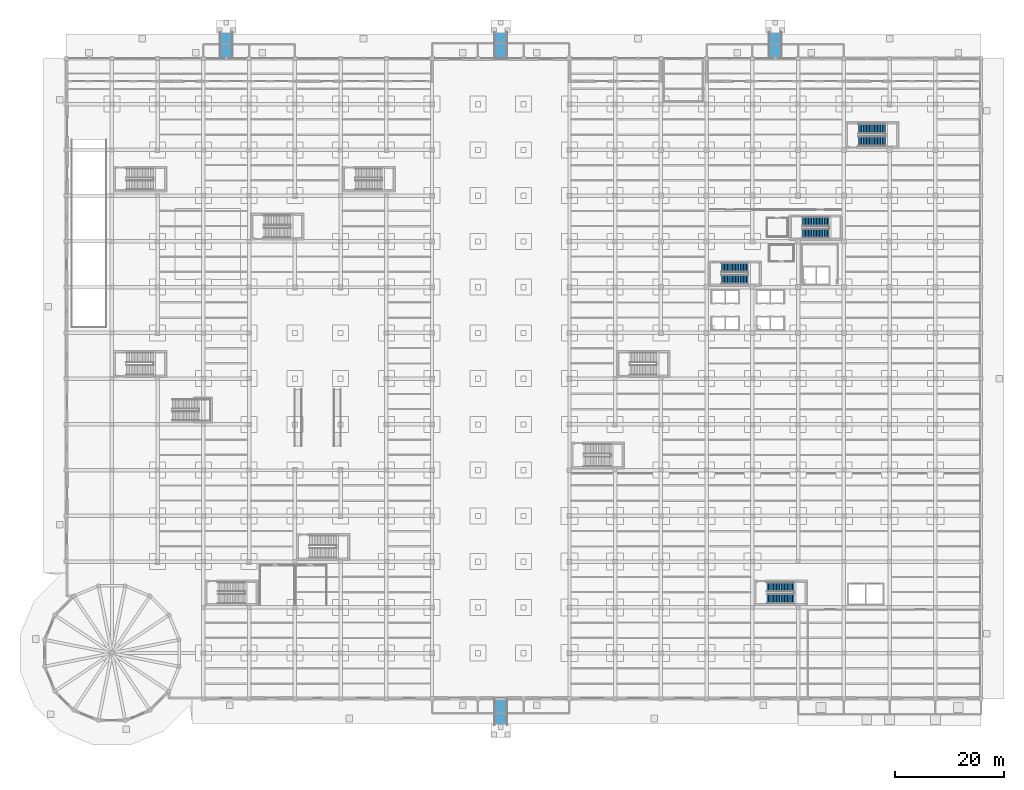
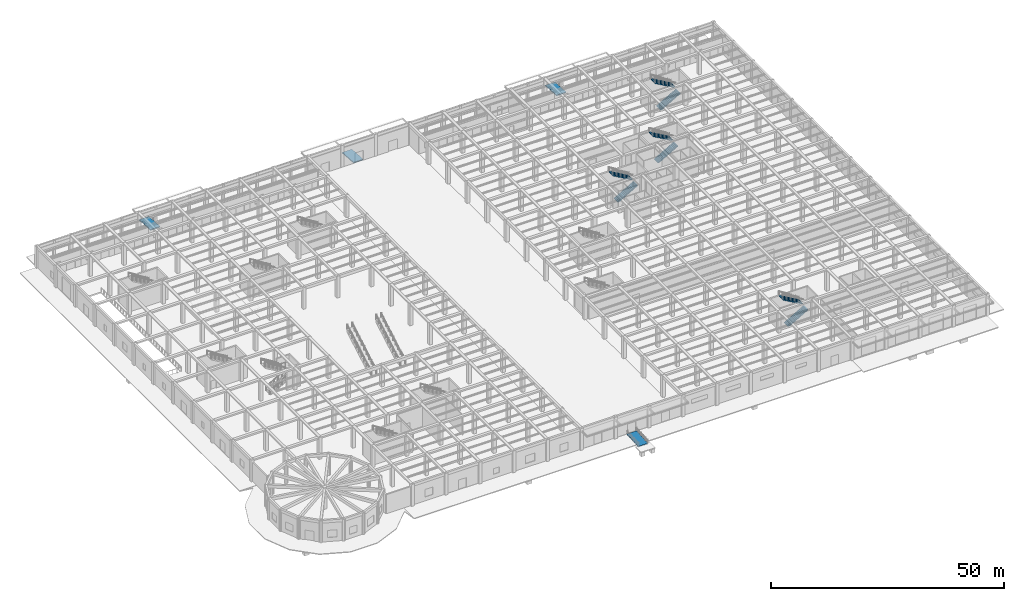
# One storey, part 33 of 43: 8 stair flights, 4 ramp flights, 8 elements without a shape of their own.
"""IFC4 building model written with IfcOpenShell, lengths in metres."""

import ifcopenshell
import ifcopenshell.guid

model = None  # the IFC model being written
_history = None  # IfcOwnerHistory: only IFC2X3 demands one
_inside = {}  # id of a spatial element -> (the spatial element, [elements in it])
_under = {}  # id of a project, library or spatial element -> (it, [spatial elements below it])
_declared = {}  # id of a project -> (the project, [libraries it declares])
_typed = {}  # id of a type object -> (the type object, [elements of that type])
_made_of = {}  # id of a material, layer set ... -> (it, [elements and type objects made of it])


def new_model(schema):
    """Start an empty IFC model of exactly this schema.

    Asked for "IFC4X3", IfcOpenShell would pick the latest addendum, in which some entities
    have other attributes; the version numbers below select the first issue.
    IFC2X3 requires an IfcOwnerHistory on every rooted entity: one is made here for all.
    """
    global model, _history
    if schema == "IFC4X3":
        model = ifcopenshell.file(schema_version=(4, 3, 0, 0))
    else:
        model = ifcopenshell.file(schema=schema)
    _inside.clear()
    _under.clear()
    _declared.clear()
    _typed.clear()
    _made_of.clear()
    _history = None
    if model.schema == "IFC2X3":
        org = make("IfcOrganization", Name="unknown")
        user = make(
            "IfcPersonAndOrganization",
            ThePerson=make("IfcPerson", FamilyName="unknown"),
            TheOrganization=org,
        )
        app = make(
            "IfcApplication",
            ApplicationDeveloper=org,
            Version="unknown",
            ApplicationFullName="unknown",
            ApplicationIdentifier="unknown",
        )
        _history = make(
            "IfcOwnerHistory",
            OwningUser=user,
            OwningApplication=app,
            ChangeAction="ADDED",
            CreationDate=0,
        )
    return model


def make(cls, **values):
    """One entity of the class cls with the attributes given. An attribute that is None is left unset."""
    return model.create_entity(
        cls, **{name: value for name, value in values.items() if value is not None}
    )


def rooted(cls, **values):
    """An entity with a GlobalId (a new one), such as an element, a storey or a relation."""
    return make(cls, GlobalId=ifcopenshell.guid.new(), OwnerHistory=_history, **values)


def si_unit(unit_type, name, prefix=None):
    """IfcSIUnit, for example si_unit("LENGTHUNIT", "METRE", prefix="MILLI")."""
    return make("IfcSIUnit", UnitType=unit_type, Prefix=prefix, Name=name)


def assignment(units):
    """IfcUnitAssignment: the units of a project."""
    return None if units is None else make("IfcUnitAssignment", Units=units)


def point(xyz):
    """IfcCartesianPoint."""
    return None if xyz is None else make("IfcCartesianPoint", Coordinates=xyz)


def direction(xyz):
    """IfcDirection."""
    return None if xyz is None else make("IfcDirection", DirectionRatios=xyz)


def frame(location, z_axis=None, x_axis=None):
    """IfcAxis2Placement3D, a coordinate frame: its origin and axes. An axis left out is left unset."""
    return make(
        "IfcAxis2Placement3D",
        Location=point(location),
        Axis=direction(z_axis),
        RefDirection=direction(x_axis),
    )


def origin():
    """The frame at (0, 0, 0) with its axes left unset."""
    return frame((0.0, 0.0, 0.0))


def place(relative_to, where):
    """IfcLocalPlacement: puts the frame where relative to a parent placement (None: the world)."""
    return make(
        "IfcLocalPlacement", PlacementRelTo=relative_to, RelativePlacement=where
    )


def context(
    kind, dimensions, precision=None, world=None, true_north=None, identifier=None
):
    """IfcGeometricRepresentationContext, for example the 3D "Model" context."""
    return make(
        "IfcGeometricRepresentationContext",
        ContextIdentifier=identifier,
        ContextType=kind,
        CoordinateSpaceDimension=dimensions,
        Precision=precision,
        WorldCoordinateSystem=world,
        TrueNorth=true_north,
    )


def subcontext(parent, identifier, kind, view, scale=None):
    """IfcGeometricRepresentationSubContext, for example "Body" below "Model"."""
    return make(
        "IfcGeometricRepresentationSubContext",
        ContextIdentifier=identifier,
        ContextType=kind,
        ParentContext=parent,
        TargetScale=scale,
        TargetView=view,
    )


def project(units=None, contexts=None):
    """IfcProject with its units and contexts."""
    return rooted(
        "IfcProject",
        Name="project",
        RepresentationContexts=contexts,
        UnitsInContext=assignment(units),
    )


def spatial(cls, under=None, at=None, **own):
    """A site, building, storey or space (cls), placed at a placement, below another one or the project."""
    s = rooted(cls, ObjectPlacement=at, **own)
    if under is not None:
        _under.setdefault(under.id(), (under, []))[1].append(s)
    return s


def polyline(points):
    """IfcPolyline through the points."""
    return make("IfcPolyline", Points=[point(p) for p in points])


def outline(outer, holes=None, kind="AREA"):
    """IfcArbitraryClosedProfileDef: a profile drawn as a closed curve; with holes, ...WithVoids."""
    if holes is None:
        return make("IfcArbitraryClosedProfileDef", ProfileType=kind, OuterCurve=outer)
    return make(
        "IfcArbitraryProfileDefWithVoids",
        ProfileType=kind,
        OuterCurve=outer,
        InnerCurves=holes,
    )


def extrude(swept, where, along, depth):
    """IfcExtrudedAreaSolid: the profile swept, set in the frame where, extruded along a direction by depth."""
    return make(
        "IfcExtrudedAreaSolid",
        SweptArea=swept,
        Position=where,
        ExtrudedDirection=direction(along),
        Depth=depth,
    )


def shape(context_of_items, identifier, shape_type, items):
    """IfcShapeRepresentation: the items that make up one representation, for example the "Body"."""
    return make(
        "IfcShapeRepresentation",
        ContextOfItems=context_of_items,
        RepresentationIdentifier=identifier,
        RepresentationType=shape_type,
        Items=items,
    )


def material(Name=None, Category=None):
    """IfcMaterial."""
    return make("IfcMaterial", Name=Name, Category=Category)


def layer(
    of_material, thickness, ventilated=None, Name=None, Category=None, Priority=None
):
    """IfcMaterialLayer: one layer of a wall or slab, of a material (None: an air gap)."""
    return make(
        "IfcMaterialLayer",
        Material=of_material,
        LayerThickness=thickness,
        IsVentilated=ventilated,
        Name=Name,
        Category=Category,
        Priority=Priority,
    )


def layer_set(layers, Name=None):
    """IfcMaterialLayerSet."""
    return make("IfcMaterialLayerSet", MaterialLayers=layers, LayerSetName=Name)


def made_of(thing, what):
    """Note that an element or type object is made of a material, layer set ...; save() writes the relation."""
    if what is not None:
        _made_of.setdefault(what.id(), (what, []))[1].append(thing)
    return thing


def type_object(cls, material=None, **own):
    """A type object (cls), such as IfcWallType, which elements share."""
    return made_of(rooted(cls, **own), material)


def element(
    cls,
    number,
    at=None,
    inside=None,
    cuts=None,
    type_object=None,
    material=None,
    context=None,
    identifier="Body",
    shape_type=None,
    held_by="IfcProductDefinitionShape",
    body=None,
    shapes=None,
    **own,
):
    """One element of the class cls, such as IfcWall. Its Tag is "e" and its number.

    at: its placement. inside: the storey or other place that contains it. cuts: it is an
    opening in that element (IfcRelVoidsElement). A single representation is given by context,
    identifier, shape_type and body (its items); several are given by shapes. held_by: the class
    of the entity that holds the representations. save() writes the other relations.
    """
    e = rooted(cls, Tag="e%d" % number, ObjectPlacement=at, **own)
    if body is not None:
        shapes = [shape(context, identifier, shape_type, body)]
    if shapes is not None:
        e.Representation = make(held_by, Representations=shapes)
    if inside is not None:
        _inside.setdefault(inside.id(), (inside, []))[1].append(e)
    if cuts is not None:
        rooted(
            "IfcRelVoidsElement", RelatingBuildingElement=cuts, RelatedOpeningElement=e
        )
    if type_object is not None:
        _typed.setdefault(type_object.id(), (type_object, []))[1].append(e)
    return made_of(e, material)


def aggregate(whole, parts):
    """IfcRelAggregates: a whole, such as a stair, and the parts it consists of."""
    return rooted("IfcRelAggregates", RelatingObject=whole, RelatedObjects=parts)


def save(model, path):
    """Write the relations noted so far, then the file.

    IfcRelAggregates (storeys below a building ...), IfcRelContainedInSpatialStructure (elements
    in a storey), IfcRelDefinesByType, IfcRelAssociatesMaterial and IfcRelDeclares: one each for
    every whole, place, type object, material and project.
    """
    for whole, parts in _under.values():
        aggregate(whole, parts)
    for where, things in _inside.values():
        rooted(
            "IfcRelContainedInSpatialStructure",
            RelatedElements=things,
            RelatingStructure=where,
        )
    for kind, things in _typed.values():
        rooted("IfcRelDefinesByType", RelatedObjects=things, RelatingType=kind)
    for what, things in _made_of.values():
        rooted("IfcRelAssociatesMaterial", RelatedObjects=things, RelatingMaterial=what)
    for by, libraries in _declared.values():
        rooted("IfcRelDeclares", RelatingContext=by, RelatedDefinitions=libraries)
    model.write(path)


model = new_model("IFC4")

# Units and contexts
model_context = context("Model", 3, precision=1e-05, world=origin(), true_north=direction((0.0, 1.0)))
body_context = subcontext(model_context, "Body", "Model", "MODEL_VIEW")
ifc_project = project(units=[si_unit("LENGTHUNIT", "METRE"), si_unit("AREAUNIT", "SQUARE_METRE"), si_unit("VOLUMEUNIT", "CUBIC_METRE"), si_unit("PLANEANGLEUNIT", "RADIAN"), si_unit("MASSUNIT", "GRAM", prefix="KILO")], contexts=[model_context])

# Site, building, storey
site_placement = place(None, origin())
site = spatial("IfcSite", under=ifc_project, at=site_placement, CompositionType="ELEMENT")
building_placement = place(site_placement, origin())
building = spatial("IfcBuilding", under=site, at=building_placement, Name="Almacenes y Pasaje Nevantli", CompositionType="ELEMENT")
storey_placement = place(building_placement, origin())
storey = spatial("IfcBuildingStorey", under=building, at=storey_placement, Name="L01", CompositionType="ELEMENT", Elevation=0.0)

# Stair, stair flights
ifc_material_1 = material(Name="Concrete C35/45", Category="concrete")
stair_type_1 = type_object("IfcStairType", Name="STR-CORE-1720", PredefinedType="HALF_TURN_STAIR", material=ifc_material_1)
stair_1_placement = place(storey_placement, origin())
stair_1 = element("IfcStair", 1, at=stair_1_placement, inside=storey, type_object=stair_type_1, Name="L01 Staircase ST-01", PredefinedType="HALF_TURN_STAIR")
ifc_material_2 = material(Name="Concrete C35/45", Category="concrete")
ifc_layer_1 = layer(ifc_material_2, 0.199951171875)
ifc_layer_set_1 = layer_set([ifc_layer_1], Name="Concrete C35/45")
stair_flight_type = type_object("IfcStairFlightType", Name="SFL-RC-200", PredefinedType="STRAIGHT", material=ifc_layer_set_1)
stair_flight_1_placement = place(storey_placement, frame((120.300048828125, 77.010009765625, 0.0), z_axis=(0.0, 0.0, 1.0), x_axis=(1.0, 0.0, 0.0)))
stair_flight_1 = element("IfcStairFlight", 2, at=stair_flight_1_placement, type_object=stair_flight_type, Name="ST-01-L01 flight 1", NumberOfRisers=18, NumberOfTreads=17, PredefinedType="STRAIGHT", RiserHeight=0.166667, TreadLength=0.29, context=body_context, shape_type="SweptSolid", body=[
    extrude(outline(polyline([(0.0, 0.0), (0.0, 0.166748046875), (0.2900390625, 0.166748046875), (0.2900390625, 0.333251953125), (0.580078125, 0.333251953125), (0.580078125, 0.5), (0.8701171875, 0.5), (0.8701171875, 0.666748046875), (1.159912109375, 0.666748046875), (1.159912109375, 0.833251953125), (1.449951171875, 0.833251953125), (1.449951171875, 1.0), (1.739990234375, 1.0), (1.739990234375, 1.166748046875), (2.030029296875, 1.166748046875), (2.030029296875, 1.333251953125), (2.320068359375, 1.333251953125), (2.320068359375, 1.5), (2.610107421875, 1.5), (2.610107421875, 1.666748046875), (2.89990234375, 1.666748046875), (2.89990234375, 1.833251953125), (3.18994140625, 1.833251953125), (3.18994140625, 2.0), (3.47998046875, 2.0), (3.47998046875, 2.166748046875), (3.77001953125, 2.166748046875), (3.77001953125, 2.333251953125), (4.06005859375, 2.333251953125), (4.06005859375, 2.5), (4.35009765625, 2.5), (4.35009765625, 2.666748046875), (4.639892578125, 2.666748046875), (4.639892578125, 2.833251953125), (4.929931640625, 2.833251953125), (4.929931640625, 3.0), (4.929931640625, 2.602783203125), (0.4013671875, 0.0), (0.0, 0.0)])), frame((0.0, 0.85986328125, 0.0), z_axis=(0.0, -1.0, 0.0), x_axis=(1.0, 0.0, 0.0)), (0.0, 0.0, 1.0), 1.719970703125),
])
stair_flight_2_placement = place(storey_placement, frame((125.22998046875, 79.179931640625, 3.0), z_axis=(0.0, 0.0, 1.0), x_axis=(-1.0, 0.0, 0.0)))
stair_flight_2 = element("IfcStairFlight", 3, at=stair_flight_2_placement, type_object=stair_flight_type, Name="ST-01-L01 flight 2", NumberOfRisers=18, NumberOfTreads=17, PredefinedType="STRAIGHT", RiserHeight=0.166667, TreadLength=0.29, context=body_context, shape_type="SweptSolid", body=[
    extrude(outline(polyline([(0.0, 0.0), (0.0, 0.166748046875), (0.2900390625, 0.166748046875), (0.2900390625, 0.333251953125), (0.580078125, 0.333251953125), (0.580078125, 0.5), (0.8701171875, 0.5), (0.8701171875, 0.666748046875), (1.159912109375, 0.666748046875), (1.159912109375, 0.833251953125), (1.449951171875, 0.833251953125), (1.449951171875, 1.0), (1.739990234375, 1.0), (1.739990234375, 1.166748046875), (2.030029296875, 1.166748046875), (2.030029296875, 1.333251953125), (2.320068359375, 1.333251953125), (2.320068359375, 1.5), (2.610107421875, 1.5), (2.610107421875, 1.666748046875), (2.89990234375, 1.666748046875), (2.89990234375, 1.833251953125), (3.18994140625, 1.833251953125), (3.18994140625, 2.0), (3.47998046875, 2.0), (3.47998046875, 2.166748046875), (3.77001953125, 2.166748046875), (3.77001953125, 2.333251953125), (4.06005859375, 2.333251953125), (4.06005859375, 2.5), (4.35009765625, 2.5), (4.35009765625, 2.666748046875), (4.639892578125, 2.666748046875), (4.639892578125, 2.833251953125), (4.929931640625, 2.833251953125), (4.929931640625, 3.0), (4.929931640625, 2.602783203125), (0.4013671875, 0.0), (0.0, 0.0)])), frame((0.0, 0.85986328125, 0.0), z_axis=(0.0, -1.0, 0.0), x_axis=(1.0, 0.0, 0.0)), (0.0, 0.0, 1.0), 1.719970703125),
])
aggregate(stair_1, [stair_flight_1, stair_flight_2])

stair_2_placement = place(storey_placement, origin())
stair_2 = element("IfcStair", 4, at=stair_2_placement, inside=storey, type_object=stair_type_1, Name="L01 Staircase ST-02", PredefinedType="HALF_TURN_STAIR")
stair_flight_3_placement = place(storey_placement, frame((135.14990234375, 85.4599609375, 0.0), z_axis=(0.0, 0.0, 1.0), x_axis=(1.0, 0.0, 0.0)))
stair_flight_3 = element("IfcStairFlight", 5, at=stair_flight_3_placement, type_object=stair_flight_type, Name="ST-02-L01 flight 1", NumberOfRisers=18, NumberOfTreads=17, PredefinedType="STRAIGHT", RiserHeight=0.166667, TreadLength=0.29, context=body_context, shape_type="SweptSolid", body=[
    extrude(outline(polyline([(0.0, 0.0), (0.0, 0.166748046875), (0.2900390625, 0.166748046875), (0.2900390625, 0.333251953125), (0.580078125, 0.333251953125), (0.580078125, 0.5), (0.8701171875, 0.5), (0.8701171875, 0.666748046875), (1.159912109375, 0.666748046875), (1.159912109375, 0.833251953125), (1.449951171875, 0.833251953125), (1.449951171875, 1.0), (1.739990234375, 1.0), (1.739990234375, 1.166748046875), (2.030029296875, 1.166748046875), (2.030029296875, 1.333251953125), (2.320068359375, 1.333251953125), (2.320068359375, 1.5), (2.610107421875, 1.5), (2.610107421875, 1.666748046875), (2.89990234375, 1.666748046875), (2.89990234375, 1.833251953125), (3.18994140625, 1.833251953125), (3.18994140625, 2.0), (3.47998046875, 2.0), (3.47998046875, 2.166748046875), (3.77001953125, 2.166748046875), (3.77001953125, 2.333251953125), (4.06005859375, 2.333251953125), (4.06005859375, 2.5), (4.35009765625, 2.5), (4.35009765625, 2.666748046875), (4.639892578125, 2.666748046875), (4.639892578125, 2.833251953125), (4.929931640625, 2.833251953125), (4.929931640625, 3.0), (4.929931640625, 2.602783203125), (0.4013671875, 0.0), (0.0, 0.0)])), frame((0.0, 0.85986328125, 0.0), z_axis=(0.0, -1.0, 0.0), x_axis=(1.0, 0.0, 0.0)), (0.0, 0.0, 1.0), 1.719970703125),
])
stair_flight_4_placement = place(storey_placement, frame((140.080078125, 87.6298828125, 3.0), z_axis=(0.0, 0.0, 1.0), x_axis=(-1.0, 0.0, 0.0)))
stair_flight_4 = element("IfcStairFlight", 6, at=stair_flight_4_placement, type_object=stair_flight_type, Name="ST-02-L01 flight 2", NumberOfRisers=18, NumberOfTreads=17, PredefinedType="STRAIGHT", RiserHeight=0.166667, TreadLength=0.29, context=body_context, shape_type="SweptSolid", body=[
    extrude(outline(polyline([(0.0, 0.0), (0.0, 0.166748046875), (0.2900390625, 0.166748046875), (0.2900390625, 0.333251953125), (0.580078125, 0.333251953125), (0.580078125, 0.5), (0.8701171875, 0.5), (0.8701171875, 0.666748046875), (1.159912109375, 0.666748046875), (1.159912109375, 0.833251953125), (1.449951171875, 0.833251953125), (1.449951171875, 1.0), (1.739990234375, 1.0), (1.739990234375, 1.166748046875), (2.030029296875, 1.166748046875), (2.030029296875, 1.333251953125), (2.320068359375, 1.333251953125), (2.320068359375, 1.5), (2.610107421875, 1.5), (2.610107421875, 1.666748046875), (2.89990234375, 1.666748046875), (2.89990234375, 1.833251953125), (3.18994140625, 1.833251953125), (3.18994140625, 2.0), (3.47998046875, 2.0), (3.47998046875, 2.166748046875), (3.77001953125, 2.166748046875), (3.77001953125, 2.333251953125), (4.06005859375, 2.333251953125), (4.06005859375, 2.5), (4.35009765625, 2.5), (4.35009765625, 2.666748046875), (4.639892578125, 2.666748046875), (4.639892578125, 2.833251953125), (4.929931640625, 2.833251953125), (4.929931640625, 3.0), (4.929931640625, 2.602783203125), (0.4013671875, 0.0), (0.0, 0.0)])), frame((0.0, 0.85986328125, 0.0), z_axis=(0.0, -1.0, 0.0), x_axis=(1.0, 0.0, 0.0)), (0.0, 0.0, 1.0), 1.719970703125),
])
aggregate(stair_2, [stair_flight_3, stair_flight_4])

ifc_material_3 = material(Name="Concrete C35/45", Category="concrete")
stair_type_2 = type_object("IfcStairType", Name="STR-CORE-1750", PredefinedType="HALF_TURN_STAIR", material=ifc_material_3)
stair_3_placement = place(storey_placement, origin())
stair_3 = element("IfcStair", 7, at=stair_3_placement, inside=storey, type_object=stair_type_2, Name="L01 Staircase ST-06", PredefinedType="HALF_TURN_STAIR")
stair_flight_5_placement = place(storey_placement, frame((128.699951171875, 18.375, 0.0), z_axis=(0.0, 0.0, 1.0), x_axis=(1.0, 0.0, 0.0)))
stair_flight_5 = element("IfcStairFlight", 8, at=stair_flight_5_placement, type_object=stair_flight_type, Name="ST-06-L01 flight 1", NumberOfRisers=18, NumberOfTreads=17, PredefinedType="STRAIGHT", RiserHeight=0.166667, TreadLength=0.29, context=body_context, shape_type="SweptSolid", body=[
    extrude(outline(polyline([(0.0, 0.0), (0.0, 0.166748046875), (0.2900390625, 0.166748046875), (0.2900390625, 0.333251953125), (0.580078125, 0.333251953125), (0.580078125, 0.5), (0.8701171875, 0.5), (0.8701171875, 0.666748046875), (1.159912109375, 0.666748046875), (1.159912109375, 0.833251953125), (1.449951171875, 0.833251953125), (1.449951171875, 1.0), (1.739990234375, 1.0), (1.739990234375, 1.166748046875), (2.030029296875, 1.166748046875), (2.030029296875, 1.333251953125), (2.320068359375, 1.333251953125), (2.320068359375, 1.5), (2.610107421875, 1.5), (2.610107421875, 1.666748046875), (2.89990234375, 1.666748046875), (2.89990234375, 1.833251953125), (3.18994140625, 1.833251953125), (3.18994140625, 2.0), (3.47998046875, 2.0), (3.47998046875, 2.166748046875), (3.77001953125, 2.166748046875), (3.77001953125, 2.333251953125), (4.06005859375, 2.333251953125), (4.06005859375, 2.5), (4.35009765625, 2.5), (4.35009765625, 2.666748046875), (4.639892578125, 2.666748046875), (4.639892578125, 2.833251953125), (4.929931640625, 2.833251953125), (4.929931640625, 3.0), (4.929931640625, 2.602783203125), (0.4013671875, 0.0), (0.0, 0.0)])), frame((0.0, 0.875, 0.0), z_axis=(0.0, -1.0, 0.0), x_axis=(1.0, 0.0, 0.0)), (0.0, 0.0, 1.0), 1.75),
])
stair_flight_6_placement = place(storey_placement, frame((133.6298828125, 20.574951171875, 3.0), z_axis=(0.0, 0.0, 1.0), x_axis=(-1.0, 0.0, 0.0)))
stair_flight_6 = element("IfcStairFlight", 9, at=stair_flight_6_placement, type_object=stair_flight_type, Name="ST-06-L01 flight 2", NumberOfRisers=18, NumberOfTreads=17, PredefinedType="STRAIGHT", RiserHeight=0.166667, TreadLength=0.29, context=body_context, shape_type="SweptSolid", body=[
    extrude(outline(polyline([(0.0, 0.0), (0.0, 0.166748046875), (0.2900390625, 0.166748046875), (0.2900390625, 0.333251953125), (0.580078125, 0.333251953125), (0.580078125, 0.5), (0.8701171875, 0.5), (0.8701171875, 0.666748046875), (1.159912109375, 0.666748046875), (1.159912109375, 0.833251953125), (1.449951171875, 0.833251953125), (1.449951171875, 1.0), (1.739990234375, 1.0), (1.739990234375, 1.166748046875), (2.030029296875, 1.166748046875), (2.030029296875, 1.333251953125), (2.320068359375, 1.333251953125), (2.320068359375, 1.5), (2.610107421875, 1.5), (2.610107421875, 1.666748046875), (2.89990234375, 1.666748046875), (2.89990234375, 1.833251953125), (3.18994140625, 1.833251953125), (3.18994140625, 2.0), (3.47998046875, 2.0), (3.47998046875, 2.166748046875), (3.77001953125, 2.166748046875), (3.77001953125, 2.333251953125), (4.06005859375, 2.333251953125), (4.06005859375, 2.5), (4.35009765625, 2.5), (4.35009765625, 2.666748046875), (4.639892578125, 2.666748046875), (4.639892578125, 2.833251953125), (4.929931640625, 2.833251953125), (4.929931640625, 3.0), (4.929931640625, 2.602783203125), (0.4013671875, 0.0), (0.0, 0.0)])), frame((0.0, 0.875, 0.0), z_axis=(0.0, -1.0, 0.0), x_axis=(1.0, 0.0, 0.0)), (0.0, 0.0, 1.0), 1.75),
])
aggregate(stair_3, [stair_flight_5, stair_flight_6])

ifc_material_4 = material(Name="Concrete C35/45", Category="concrete")
stair_type_3 = type_object("IfcStairType", Name="STR-CORE-1850", PredefinedType="HALF_TURN_STAIR", material=ifc_material_4)
stair_4_placement = place(storey_placement, origin())
stair_4 = element("IfcStair", 10, at=stair_4_placement, inside=storey, type_object=stair_type_3, Name="L01 Staircase ST-07", PredefinedType="HALF_TURN_STAIR")
stair_flight_7_placement = place(storey_placement, frame((145.5, 102.375, 0.0), z_axis=(0.0, 0.0, 1.0), x_axis=(1.0, 0.0, 0.0)))
stair_flight_7 = element("IfcStairFlight", 11, at=stair_flight_7_placement, type_object=stair_flight_type, Name="ST-07-L01 flight 1", NumberOfRisers=18, NumberOfTreads=17, PredefinedType="STRAIGHT", RiserHeight=0.166667, TreadLength=0.29, context=body_context, shape_type="SweptSolid", body=[
    extrude(outline(polyline([(0.0, 0.0), (0.0, 0.166748046875), (0.2900390625, 0.166748046875), (0.2900390625, 0.333251953125), (0.580078125, 0.333251953125), (0.580078125, 0.5), (0.8701171875, 0.5), (0.8701171875, 0.666748046875), (1.159912109375, 0.666748046875), (1.159912109375, 0.833251953125), (1.449951171875, 0.833251953125), (1.449951171875, 1.0), (1.739990234375, 1.0), (1.739990234375, 1.166748046875), (2.030029296875, 1.166748046875), (2.030029296875, 1.333251953125), (2.320068359375, 1.333251953125), (2.320068359375, 1.5), (2.610107421875, 1.5), (2.610107421875, 1.666748046875), (2.89990234375, 1.666748046875), (2.89990234375, 1.833251953125), (3.18994140625, 1.833251953125), (3.18994140625, 2.0), (3.47998046875, 2.0), (3.47998046875, 2.166748046875), (3.77001953125, 2.166748046875), (3.77001953125, 2.333251953125), (4.06005859375, 2.333251953125), (4.06005859375, 2.5), (4.35009765625, 2.5), (4.35009765625, 2.666748046875), (4.639892578125, 2.666748046875), (4.639892578125, 2.833251953125), (4.929931640625, 2.833251953125), (4.929931640625, 3.0), (4.929931640625, 2.602783203125), (0.4013671875, 0.0), (0.0, 0.0)])), frame((0.0, 0.925048828125, 0.0), z_axis=(0.0, -1.0, 0.0), x_axis=(1.0, 0.0, 0.0)), (0.0, 0.0, 1.0), 1.85009765625),
])
stair_flight_8_placement = place(storey_placement, frame((150.429931640625, 104.675048828125, 3.0), z_axis=(0.0, 0.0, 1.0), x_axis=(-1.0, 0.0, 0.0)))
stair_flight_8 = element("IfcStairFlight", 12, at=stair_flight_8_placement, type_object=stair_flight_type, Name="ST-07-L01 flight 2", NumberOfRisers=18, NumberOfTreads=17, PredefinedType="STRAIGHT", RiserHeight=0.166667, TreadLength=0.29, context=body_context, shape_type="SweptSolid", body=[
    extrude(outline(polyline([(0.0, 0.0), (0.0, 0.166748046875), (0.2900390625, 0.166748046875), (0.2900390625, 0.333251953125), (0.580078125, 0.333251953125), (0.580078125, 0.5), (0.8701171875, 0.5), (0.8701171875, 0.666748046875), (1.159912109375, 0.666748046875), (1.159912109375, 0.833251953125), (1.449951171875, 0.833251953125), (1.449951171875, 1.0), (1.739990234375, 1.0), (1.739990234375, 1.166748046875), (2.030029296875, 1.166748046875), (2.030029296875, 1.333251953125), (2.320068359375, 1.333251953125), (2.320068359375, 1.5), (2.610107421875, 1.5), (2.610107421875, 1.666748046875), (2.89990234375, 1.666748046875), (2.89990234375, 1.833251953125), (3.18994140625, 1.833251953125), (3.18994140625, 2.0), (3.47998046875, 2.0), (3.47998046875, 2.166748046875), (3.77001953125, 2.166748046875), (3.77001953125, 2.333251953125), (4.06005859375, 2.333251953125), (4.06005859375, 2.5), (4.35009765625, 2.5), (4.35009765625, 2.666748046875), (4.639892578125, 2.666748046875), (4.639892578125, 2.833251953125), (4.929931640625, 2.833251953125), (4.929931640625, 3.0), (4.929931640625, 2.602783203125), (0.4013671875, 0.0), (0.0, 0.0)])), frame((0.0, 0.925048828125, 0.0), z_axis=(0.0, -1.0, 0.0), x_axis=(1.0, 0.0, 0.0)), (0.0, 0.0, 1.0), 1.85009765625),
])
aggregate(stair_4, [stair_flight_7, stair_flight_8])

# Ramp, ramp flight
ifc_material_5 = material(Name="Concrete C35/45", Category="concrete")
ramp_type = type_object("IfcRampType", Name="RMP-ACC-2400", PredefinedType="STRAIGHT_RUN_RAMP", material=ifc_material_5)
ramp_1_placement = place(storey_placement, origin())
ramp_1 = element("IfcRamp", 13, at=ramp_1_placement, inside=storey, type_object=ramp_type, Name="L01 Accessible Entrance Ramp RP-03", PredefinedType="STRAIGHT_RUN_RAMP")
ifc_material_6 = material(Name="Concrete C35/45", Category="concrete")
ifc_layer_2 = layer(ifc_material_6, 0.25)
ifc_layer_set_2 = layer_set([ifc_layer_2], Name="Concrete C35/45")
ramp_flight_type = type_object("IfcRampFlightType", Name="RFL-RC-250", PredefinedType="STRAIGHT", material=ifc_layer_set_2)
ramp_flight_1_placement = place(storey_placement, frame((29.39990234375, 122.449951171875, -0.320068359375), z_axis=(0.0, 0.0, 1.0), x_axis=(0.0, -1.0, 0.0)))
ramp_flight_1 = element("IfcRampFlight", 14, at=ramp_flight_1_placement, type_object=ramp_flight_type, Name="RP-03 ramp flight 1", PredefinedType="STRAIGHT", context=body_context, shape_type="SweptSolid", body=[
    extrude(outline(polyline([(0.0, -0.25), (4.864990234375, 0.070068359375), (4.864990234375, 0.320068359375), (0.0, 0.0), (0.0, -0.25)])), frame((0.0, 1.199951171875, 0.0), z_axis=(0.0, -1.0, 0.0), x_axis=(1.0, 0.0, 0.0)), (0.0, 0.0, 1.0), 2.39990234375),
])
aggregate(ramp_1, [ramp_flight_1])

ramp_2_placement = place(storey_placement, origin())
ramp_2 = element("IfcRamp", 15, at=ramp_2_placement, inside=storey, type_object=ramp_type, Name="L01 Accessible Entrance Ramp RP-04", PredefinedType="STRAIGHT_RUN_RAMP")
ramp_flight_2_placement = place(storey_placement, frame((79.800048828125, 122.449951171875, -0.320068359375), z_axis=(0.0, 0.0, 1.0), x_axis=(0.0, -1.0, 0.0)))
ramp_flight_2 = element("IfcRampFlight", 16, at=ramp_flight_2_placement, type_object=ramp_flight_type, Name="RP-04 ramp flight 1", PredefinedType="STRAIGHT", context=body_context, shape_type="SweptSolid", body=[
    extrude(outline(polyline([(0.0, -0.25), (4.864990234375, 0.070068359375), (4.864990234375, 0.320068359375), (0.0, 0.0), (0.0, -0.25)])), frame((0.0, 1.199951171875, 0.0), z_axis=(0.0, -1.0, 0.0), x_axis=(1.0, 0.0, 0.0)), (0.0, 0.0, 1.0), 2.39990234375),
])
aggregate(ramp_2, [ramp_flight_2])

ramp_3_placement = place(storey_placement, origin())
ramp_3 = element("IfcRamp", 17, at=ramp_3_placement, inside=storey, type_object=ramp_type, Name="L01 Accessible Entrance Ramp RP-05", PredefinedType="STRAIGHT_RUN_RAMP")
ramp_flight_3_placement = place(storey_placement, frame((130.199951171875, 122.449951171875, -0.320068359375), z_axis=(0.0, 0.0, 1.0), x_axis=(0.0, -1.0, 0.0)))
ramp_flight_3 = element("IfcRampFlight", 18, at=ramp_flight_3_placement, type_object=ramp_flight_type, Name="RP-05 ramp flight 1", PredefinedType="STRAIGHT", context=body_context, shape_type="SweptSolid", body=[
    extrude(outline(polyline([(0.0, -0.25), (4.864990234375, 0.070068359375), (4.864990234375, 0.320068359375), (0.0, 0.0), (0.0, -0.25)])), frame((0.0, 1.199951171875, 0.0), z_axis=(0.0, -1.0, 0.0), x_axis=(1.0, 0.0, 0.0)), (0.0, 0.0, 1.0), 2.39990234375),
])
aggregate(ramp_3, [ramp_flight_3])

ramp_4_placement = place(storey_placement, origin())
ramp_4 = element("IfcRamp", 19, at=ramp_4_placement, inside=storey, type_object=ramp_type, Name="L01 Accessible Entrance Ramp RP-06", PredefinedType="STRAIGHT_RUN_RAMP")
ramp_flight_4_placement = place(storey_placement, frame((79.800048828125, -4.85009765625, -0.320068359375), z_axis=(0.0, 0.0, 1.0), x_axis=(0.0, 1.0, 0.0)))
ramp_flight_4 = element("IfcRampFlight", 20, at=ramp_flight_4_placement, type_object=ramp_flight_type, Name="RP-06 ramp flight 1", PredefinedType="STRAIGHT", context=body_context, shape_type="SweptSolid", body=[
    extrude(outline(polyline([(0.0, -0.25), (4.864990234375, 0.070068359375), (4.864990234375, 0.320068359375), (0.0, 0.0), (0.0, -0.25)])), frame((0.0, 1.199951171875, 0.0), z_axis=(0.0, -1.0, 0.0), x_axis=(1.0, 0.0, 0.0)), (0.0, 0.0, 1.0), 2.39990234375),
])
aggregate(ramp_4, [ramp_flight_4])

save(model, "model.ifc")
